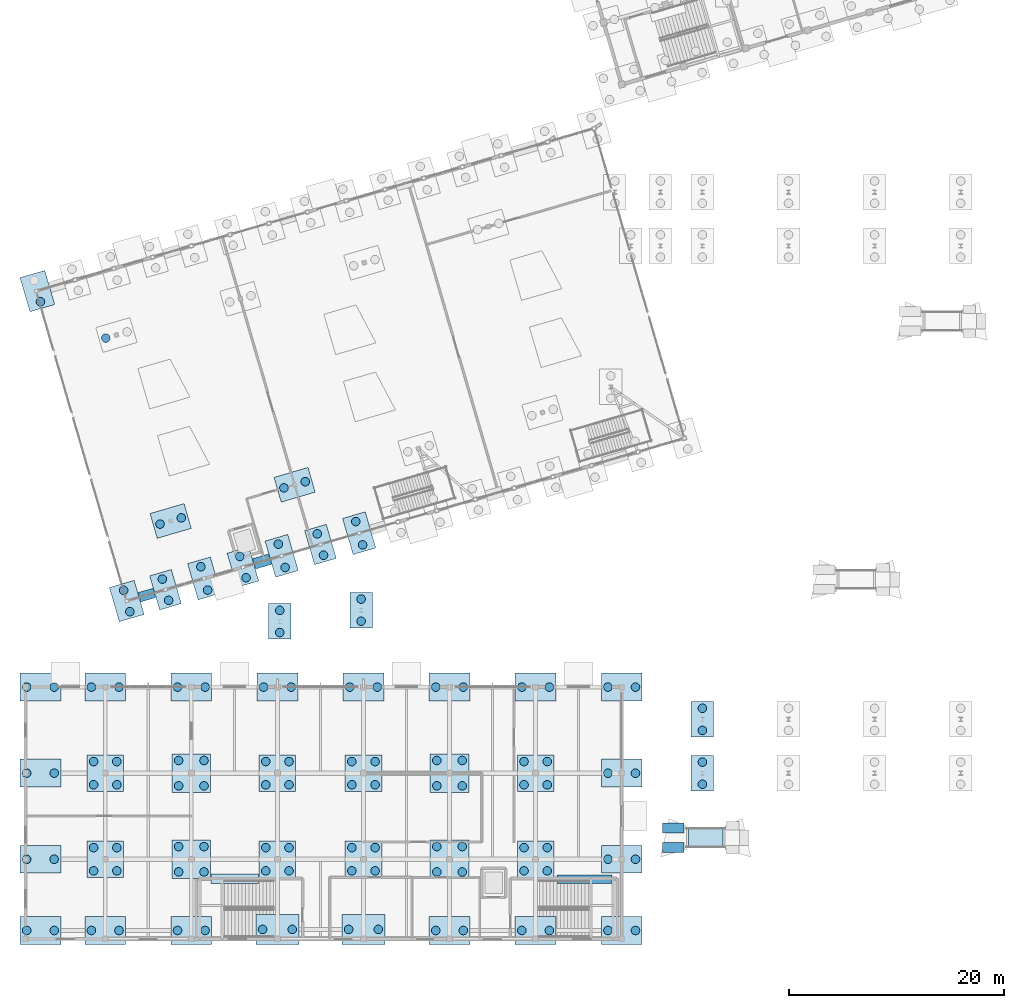
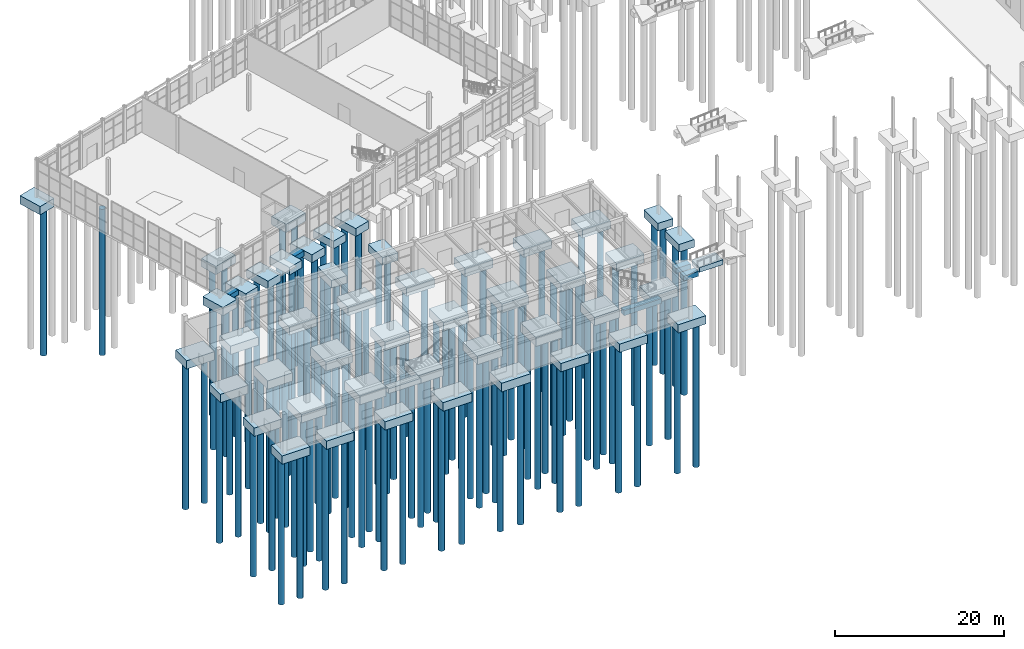
# One storey, part 1 of 90: 116 piles, 53 footings.
"""IFC4 building model written with IfcOpenShell, lengths in metres."""

from ifc_helpers import new_model, si_unit, direction, frame, origin, origin_2d, place, context, subcontext, project, spatial, rectangle, circle, extrude, material, material_profile, profile_set, type_object, element, save


model = new_model("IFC4")

# Units and contexts
model_context = context("Model", 3, precision=1e-05, world=origin(), true_north=direction((0.0, 1.0)))
body_context = subcontext(model_context, "Body", "Model", "MODEL_VIEW")
ifc_project = project(units=[si_unit("LENGTHUNIT", "METRE"), si_unit("AREAUNIT", "SQUARE_METRE"), si_unit("VOLUMEUNIT", "CUBIC_METRE"), si_unit("PLANEANGLEUNIT", "RADIAN"), si_unit("MASSUNIT", "GRAM", prefix="KILO")], contexts=[model_context])

# Site, building, storey
site_placement = place(None, origin())
site = spatial("IfcSite", under=ifc_project, at=site_placement, CompositionType="ELEMENT")
building_placement = place(site_placement, origin())
building = spatial("IfcBuilding", under=site, at=building_placement, Name="Canggui Botanical Conservatory", CompositionType="ELEMENT")
storey_placement = place(building_placement, origin())
storey = spatial("IfcBuildingStorey", under=building, at=storey_placement, Name="L01", CompositionType="ELEMENT", Elevation=0.0)

# Footings
ifc_material = material(Name="Concrete C35", Category="concrete")
footing_type_1 = type_object("IfcFootingType", Name="CAP-CT01", PredefinedType="PILE_CAP", material=ifc_material)
for number, where, z_axis, x_axis, name in (
    (1, (26.0, 18.0, -1.580078125), (0.0, 0.0, 1.0), (1.0, 0.0, 0.0), "Multi-Pile Cap CT-010"),
    (2, (26.0, 26.0, -1.580078125), (0.0, 0.0, 1.0), (1.0, 0.0, 0.0), "Multi-Pile Cap CT-011"),
    (3, (50.0, 18.0, -1.580078125), (0.0, 0.0, 1.0), (1.0, 0.0, 0.0), "Multi-Pile Cap CT-022"),
    (4, (50.0, 26.0, -1.580078125), (0.0, 0.0, 1.0), (1.0, 0.0, 0.0), "Multi-Pile Cap CT-023"),
):
    element("IfcFooting", number, at=place(storey_placement, frame(where, z_axis=z_axis, x_axis=x_axis)), inside=storey, type_object=footing_type_1, Name=name, PredefinedType="PILE_CAP", context=body_context, shape_type="SweptSolid", body=[
        extrude(rectangle(XDim=3.60009765625, YDim=3.60009765625, at=origin_2d()), origin(), (0.0, 0.0, 1.0), 1.300048828125),
    ])
footing_type_2 = type_object("IfcFootingType", Name="CAP-CT02", PredefinedType="PILE_CAP", material=ifc_material)
for number, where, z_axis, x_axis, name in (
    (5, (18.0, 18.0, -1.47998046875), (0.0, 0.0, 1.0), (1.0, 0.0, 0.0), "Multi-Pile Cap CT-006"),
    (6, (18.0, 26.0, -1.47998046875), (0.0, 0.0, 1.0), (1.0, 0.0, 0.0), "Multi-Pile Cap CT-007"),
    (7, (34.0, 18.0, -1.47998046875), (0.0, 0.0, 1.0), (1.0, 0.0, 0.0), "Multi-Pile Cap CT-014"),
    (8, (34.0, 26.0, -1.47998046875), (0.0, 0.0, 1.0), (1.0, 0.0, 0.0), "Multi-Pile Cap CT-015"),
    (9, (42.0, 18.0, -1.47998046875), (0.0, 0.0, 1.0), (1.0, 0.0, 0.0), "Multi-Pile Cap CT-018"),
    (10, (42.0, 26.0, -1.47998046875), (0.0, 0.0, 1.0), (1.0, 0.0, 0.0), "Multi-Pile Cap CT-019"),
    (11, (58.0, 18.0, -1.47998046875), (0.0, 0.0, 1.0), (1.0, 0.0, 0.0), "Multi-Pile Cap CT-026"),
    (12, (58.0, 26.0, -1.47998046875), (0.0, 0.0, 1.0), (1.0, 0.0, 0.0), "Multi-Pile Cap CT-027"),
):
    element("IfcFooting", number, at=place(storey_placement, frame(where, z_axis=z_axis, x_axis=x_axis)), inside=storey, type_object=footing_type_2, Name=name, PredefinedType="PILE_CAP", context=body_context, shape_type="SweptSolid", body=[
        extrude(rectangle(XDim=3.39990234375, YDim=3.39990234375, at=origin_2d()), origin(), (0.0, 0.0, 1.0), 1.199951171875),
    ])
footing_type_3 = type_object("IfcFootingType", Name="CAP-CT03", PredefinedType="PILE_CAP", material=ifc_material)
for number, where, z_axis, x_axis, name in (
    (13, (20.0, 42.0, -1.5), (0.0, 0.0, 1.0), (-0.279999921111, 0.960000023009, 0.0), "Multi-Pile Cap CT-033"),
    (14, (11.694091796875, 70.800048828125, -1.5), (0.0, 0.0, 1.0), (-0.279999921111, 0.960000023009, 0.0), "Multi-Pile Cap CT-048"),
    (15, (24.080078125, 49.43994140625, -1.5), (0.0, 0.0, 1.0), (0.960000000041, 0.279999999861, 0.0), "Multi-Pile Cap CT-063"),
    (16, (35.60009765625, 52.800048828125, -1.5), (0.0, 0.0, 1.0), (0.960000000041, 0.279999999861, 0.0), "Multi-Pile Cap CT-065"),
):
    element("IfcFooting", number, at=place(storey_placement, frame(where, z_axis=z_axis, x_axis=x_axis)), inside=storey, type_object=footing_type_3, Name=name, PredefinedType="PILE_CAP", context=body_context, shape_type="SweptSolid", body=[
        extrude(rectangle(XDim=3.300048828125, YDim=2.39990234375, at=origin_2d()), origin(), (0.0, 0.0, 1.0), 1.199951171875),
    ])
footing_type_4 = type_object("IfcFootingType", Name="CAP-CT04", PredefinedType="PILE_CAP", material=ifc_material)
for number, where, z_axis, x_axis, name in (
    (17, (11.97998046875, 11.3798828125, -1.47998046875), (0.0, 0.0, 1.0), (1.0, 0.0, 0.0), "Multi-Pile Cap CT-001"),
    (18, (11.97998046875, 18.0, -1.47998046875), (0.0, 0.0, 1.0), (1.0, 0.0, 0.0), "Multi-Pile Cap CT-002"),
    (19, (11.97998046875, 26.0, -1.47998046875), (0.0, 0.0, 1.0), (1.0, 0.0, 0.0), "Multi-Pile Cap CT-003"),
    (20, (11.97998046875, 34.0, -1.47998046875), (0.0, 0.0, 1.0), (1.0, 0.0, 0.0), "Multi-Pile Cap CT-004"),
    (21, (18.0, 11.3798828125, -1.47998046875), (0.0, 0.0, 1.0), (1.0, 0.0, 0.0), "Multi-Pile Cap CT-005"),
    (22, (18.0, 34.0, -1.47998046875), (0.0, 0.0, 1.0), (1.0, 0.0, 0.0), "Multi-Pile Cap CT-008"),
    (23, (26.0, 11.3798828125, -1.47998046875), (0.0, 0.0, 1.0), (1.0, 0.0, 0.0), "Multi-Pile Cap CT-009"),
    (24, (26.0, 34.0, -1.47998046875), (0.0, 0.0, 1.0), (1.0, 0.0, 0.0), "Multi-Pile Cap CT-012"),
    (25, (34.0, 34.0, -1.47998046875), (0.0, 0.0, 1.0), (1.0, 0.0, 0.0), "Multi-Pile Cap CT-016"),
    (26, (42.0, 34.0, -1.47998046875), (0.0, 0.0, 1.0), (1.0, 0.0, 0.0), "Multi-Pile Cap CT-020"),
    (27, (50.0, 11.3798828125, -1.47998046875), (0.0, 0.0, 1.0), (1.0, 0.0, 0.0), "Multi-Pile Cap CT-021"),
    (28, (50.0, 34.0, -1.47998046875), (0.0, 0.0, 1.0), (1.0, 0.0, 0.0), "Multi-Pile Cap CT-024"),
    (29, (58.0, 11.3798828125, -1.47998046875), (0.0, 0.0, 1.0), (1.0, 0.0, 0.0), "Multi-Pile Cap CT-025"),
    (30, (58.0, 34.0, -1.47998046875), (0.0, 0.0, 1.0), (1.0, 0.0, 0.0), "Multi-Pile Cap CT-028"),
    (31, (66.0, 11.3798828125, -1.47998046875), (0.0, 0.0, 1.0), (1.0, 0.0, 0.0), "Multi-Pile Cap CT-029"),
    (32, (66.0, 18.0, -1.47998046875), (0.0, 0.0, 1.0), (1.0, 0.0, 0.0), "Multi-Pile Cap CT-030"),
    (33, (66.0, 26.0, -1.47998046875), (0.0, 0.0, 1.0), (1.0, 0.0, 0.0), "Multi-Pile Cap CT-031"),
    (34, (66.0, 34.0, -1.47998046875), (0.0, 0.0, 1.0), (1.0, 0.0, 0.0), "Multi-Pile Cap CT-032"),
):
    element("IfcFooting", number, at=place(storey_placement, frame(where, z_axis=z_axis, x_axis=x_axis)), inside=storey, type_object=footing_type_4, Name=name, PredefinedType="PILE_CAP", context=body_context, shape_type="SweptSolid", body=[
        extrude(rectangle(XDim=3.800048828125, YDim=2.60009765625, at=origin_2d()), origin(), (0.0, 0.0, 1.0), 1.199951171875),
    ])
footing_type_5 = type_object("IfcFootingType", Name="CAP-CT05", PredefinedType="PILE_CAP", material=ifc_material)
for number, where, z_axis, x_axis, name in (
    (35, (27.199951171875, 44.10009765625, -1.449951171875), (0.0, 0.0, 1.0), (-0.279999921111, 0.960000023009, 0.0), "Multi-Pile Cap CT-035"),
    (36, (34.39990234375, 46.199951171875, -1.449951171875), (0.0, 0.0, 1.0), (-0.279999921111, 0.960000023009, 0.0), "Multi-Pile Cap CT-037"),
    (37, (41.60009765625, 48.300048828125, -1.449951171875), (0.0, 0.0, 1.0), (-0.279999921111, 0.960000023009, 0.0), "Multi-Pile Cap CT-039"),
):
    element("IfcFooting", number, at=place(storey_placement, frame(where, z_axis=z_axis, x_axis=x_axis)), inside=storey, type_object=footing_type_5, Name=name, PredefinedType="PILE_CAP", context=body_context, shape_type="SweptSolid", body=[
        extrude(rectangle(XDim=3.5, YDim=2.199951171875, at=origin_2d()), origin(), (0.0, 0.0, 1.0), 1.14990234375),
    ])
footing_type_6 = type_object("IfcFootingType", Name="CAP-CT06", PredefinedType="PILE_CAP", material=ifc_material)
for number, where, z_axis, x_axis, name in (
    (38, (23.60009765625, 43.050048828125, -1.400146484375), (0.0, 0.0, 1.0), (-0.279999921111, 0.960000023009, 0.0), "Multi-Pile Cap CT-034"),
    (39, (30.800048828125, 45.14990234375, -1.400146484375), (0.0, 0.0, 1.0), (-0.279999921111, 0.960000023009, 0.0), "Multi-Pile Cap CT-036"),
    (40, (38.0, 47.25, -1.400146484375), (0.0, 0.0, 1.0), (-0.279999921111, 0.960000023009, 0.0), "Multi-Pile Cap CT-038"),
    (41, (73.5, 26.0, -1.380126953125), (0.0, 0.0, 1.0), (0.0, 1.0, 0.0), "Multi-Pile Cap CT-107"),
    (42, (73.5, 31.0, -1.380126953125), (0.0, 0.0, 1.0), (0.0, 1.0, 0.0), "Multi-Pile Cap CT-108"),
    (43, (34.219970703125, 40.10009765625, -1.380126953125), (0.0, 0.0, 1.0), (0.0, 1.0, 0.0), "Multi-Pile Cap CT-139"),
    (44, (41.780029296875, 41.14990234375, -1.380126953125), (0.0, 0.0, 1.0), (0.0, 1.0, 0.0), "Multi-Pile Cap CT-140"),
):
    element("IfcFooting", number, at=place(storey_placement, frame(where, z_axis=z_axis, x_axis=x_axis)), inside=storey, type_object=footing_type_6, Name=name, PredefinedType="PILE_CAP", context=body_context, shape_type="SweptSolid", body=[
        extrude(rectangle(XDim=3.300048828125, YDim=2.10009765625, at=origin_2d()), origin(), (0.0, 0.0, 1.0), 1.10009765625),
    ])
footing_type_7 = type_object("IfcFootingType", Name="CAP-CT07", PredefinedType="PILE_CAP", material=ifc_material)
for number, where, z_axis, x_axis, name in (
    (45, (34.0, 11.47998046875, -1.530029296875), (0.0, 0.0, 1.0), (1.0, 0.0, 0.0), "Multi-Pile Cap CT-013"),
    (46, (42.0, 11.47998046875, -1.530029296875), (0.0, 0.0, 1.0), (1.0, 0.0, 0.0), "Multi-Pile Cap CT-017"),
):
    element("IfcFooting", number, at=place(storey_placement, frame(where, z_axis=z_axis, x_axis=x_axis)), inside=storey, type_object=footing_type_7, Name=name, PredefinedType="PILE_CAP", context=body_context, shape_type="SweptSolid", body=[
        extrude(rectangle(XDim=4.0, YDim=2.800048828125, at=origin_2d()), origin(), (0.0, 0.0, 1.0), 1.25),
    ])

# Piles
ifc_material_profile = material_profile(ifc_material, circle(Radius=0.39990234375, at=origin_2d()), Name="PILE D800")
ifc_profile_set = profile_set([ifc_material_profile], Name="Concrete C35")
pile_type = type_object("IfcPileType", Name="PILE-ZH2", PredefinedType="BORED", material=ifc_profile_set)
for number, where, z_axis, x_axis, name in (
    (47, (10.699951171875, 11.3798828125, -1.3798828125), (0.0, 0.0, -1.0), (1.0, 0.0, 0.0), "Bored Pile ZH-CAP-119"),
    (48, (13.260009765625, 11.3798828125, -1.3798828125), (0.0, 0.0, -1.0), (1.0, 0.0, 0.0), "Bored Pile ZH-CAP-120"),
    (49, (10.699951171875, 18.0, -1.3798828125), (0.0, 0.0, -1.0), (1.0, 0.0, 0.0), "Bored Pile ZH-CAP-121"),
    (50, (13.260009765625, 18.0, -1.3798828125), (0.0, 0.0, -1.0), (1.0, 0.0, 0.0), "Bored Pile ZH-CAP-122"),
    (51, (10.699951171875, 26.0, -1.3798828125), (0.0, 0.0, -1.0), (1.0, 0.0, 0.0), "Bored Pile ZH-CAP-123"),
    (52, (13.260009765625, 26.0, -1.3798828125), (0.0, 0.0, -1.0), (1.0, 0.0, 0.0), "Bored Pile ZH-CAP-124"),
    (53, (10.699951171875, 34.0, -1.3798828125), (0.0, 0.0, -1.0), (1.0, 0.0, 0.0), "Bored Pile ZH-CAP-125"),
    (54, (13.260009765625, 34.0, -1.3798828125), (0.0, 0.0, -1.0), (1.0, 0.0, 0.0), "Bored Pile ZH-CAP-126"),
    (55, (16.719970703125, 11.3798828125, -1.3798828125), (0.0, 0.0, -1.0), (1.0, 0.0, 0.0), "Bored Pile ZH-CAP-127"),
    (56, (19.280029296875, 11.3798828125, -1.3798828125), (0.0, 0.0, -1.0), (1.0, 0.0, 0.0), "Bored Pile ZH-CAP-128"),
    (57, (16.919921875, 16.919921875, -1.3798828125), (0.0, 0.0, -1.0), (1.0, 0.0, 0.0), "Bored Pile ZH-CAP-129"),
    (58, (19.080078125, 16.919921875, -1.3798828125), (0.0, 0.0, -1.0), (1.0, 0.0, 0.0), "Bored Pile ZH-CAP-130"),
    (59, (16.919921875, 19.080078125, -1.3798828125), (0.0, 0.0, -1.0), (1.0, 0.0, 0.0), "Bored Pile ZH-CAP-131"),
    (60, (19.080078125, 19.080078125, -1.3798828125), (0.0, 0.0, -1.0), (1.0, 0.0, 0.0), "Bored Pile ZH-CAP-132"),
    (61, (16.919921875, 24.919921875, -1.3798828125), (0.0, 0.0, -1.0), (1.0, 0.0, 0.0), "Bored Pile ZH-CAP-133"),
    (62, (19.080078125, 24.919921875, -1.3798828125), (0.0, 0.0, -1.0), (1.0, 0.0, 0.0), "Bored Pile ZH-CAP-134"),
    (63, (16.919921875, 27.080078125, -1.3798828125), (0.0, 0.0, -1.0), (1.0, 0.0, 0.0), "Bored Pile ZH-CAP-135"),
    (64, (19.080078125, 27.080078125, -1.3798828125), (0.0, 0.0, -1.0), (1.0, 0.0, 0.0), "Bored Pile ZH-CAP-136"),
    (65, (16.719970703125, 34.0, -1.3798828125), (0.0, 0.0, -1.0), (1.0, 0.0, 0.0), "Bored Pile ZH-CAP-137"),
    (66, (19.280029296875, 34.0, -1.3798828125), (0.0, 0.0, -1.0), (1.0, 0.0, 0.0), "Bored Pile ZH-CAP-138"),
    (67, (24.719970703125, 11.3798828125, -1.3798828125), (0.0, 0.0, -1.0), (1.0, 0.0, 0.0), "Bored Pile ZH-CAP-139"),
    (68, (27.280029296875, 11.3798828125, -1.3798828125), (0.0, 0.0, -1.0), (1.0, 0.0, 0.0), "Bored Pile ZH-CAP-140"),
):
    element("IfcPile", number, at=place(storey_placement, frame(where, z_axis=z_axis, x_axis=x_axis)), inside=storey, type_object=pile_type, Name=name, PredefinedType="BORED", context=body_context, shape_type="SweptSolid", body=[
        extrude(circle(Radius=0.39990234375, at=origin_2d()), origin(), (0.0, 0.0, 1.0), 21.1201171875),
    ])
for number, where, z_axis, x_axis, name in (
    (69, (24.820068359375, 16.820068359375, -1.47998046875), (0.0, 0.0, -1.0), (1.0, 0.0, 0.0), "Bored Pile ZH-CAP-141"),
    (70, (27.179931640625, 16.820068359375, -1.47998046875), (0.0, 0.0, -1.0), (1.0, 0.0, 0.0), "Bored Pile ZH-CAP-142"),
    (71, (24.820068359375, 19.179931640625, -1.47998046875), (0.0, 0.0, -1.0), (1.0, 0.0, 0.0), "Bored Pile ZH-CAP-143"),
    (72, (27.179931640625, 19.179931640625, -1.47998046875), (0.0, 0.0, -1.0), (1.0, 0.0, 0.0), "Bored Pile ZH-CAP-144"),
    (73, (24.820068359375, 24.820068359375, -1.47998046875), (0.0, 0.0, -1.0), (1.0, 0.0, 0.0), "Bored Pile ZH-CAP-145"),
    (74, (27.179931640625, 24.820068359375, -1.47998046875), (0.0, 0.0, -1.0), (1.0, 0.0, 0.0), "Bored Pile ZH-CAP-146"),
    (75, (24.820068359375, 27.179931640625, -1.47998046875), (0.0, 0.0, -1.0), (1.0, 0.0, 0.0), "Bored Pile ZH-CAP-147"),
    (76, (27.179931640625, 27.179931640625, -1.47998046875), (0.0, 0.0, -1.0), (1.0, 0.0, 0.0), "Bored Pile ZH-CAP-148"),
):
    element("IfcPile", number, at=place(storey_placement, frame(where, z_axis=z_axis, x_axis=x_axis)), inside=storey, type_object=pile_type, Name=name, PredefinedType="BORED", context=body_context, shape_type="SweptSolid", body=[
        extrude(circle(Radius=0.39990234375, at=origin_2d()), origin(), (0.0, 0.0, 1.0), 21.02001953125),
    ])
for number, where, z_axis, x_axis, name in (
    (77, (24.719970703125, 34.0, -1.3798828125), (0.0, 0.0, -1.0), (1.0, 0.0, 0.0), "Bored Pile ZH-CAP-149"),
    (78, (27.280029296875, 34.0, -1.3798828125), (0.0, 0.0, -1.0), (1.0, 0.0, 0.0), "Bored Pile ZH-CAP-150"),
):
    element("IfcPile", number, at=place(storey_placement, frame(where, z_axis=z_axis, x_axis=x_axis)), inside=storey, type_object=pile_type, Name=name, PredefinedType="BORED", context=body_context, shape_type="SweptSolid", body=[
        extrude(circle(Radius=0.39990234375, at=origin_2d()), origin(), (0.0, 0.0, 1.0), 21.1201171875),
    ])
for number, where, z_axis, x_axis, name in (
    (79, (32.6201171875, 11.47998046875, -1.429931640625), (0.0, 0.0, -1.0), (1.0, 0.0, 0.0), "Bored Pile ZH-CAP-151"),
    (80, (35.3798828125, 11.47998046875, -1.429931640625), (0.0, 0.0, -1.0), (1.0, 0.0, 0.0), "Bored Pile ZH-CAP-152"),
):
    element("IfcPile", number, at=place(storey_placement, frame(where, z_axis=z_axis, x_axis=x_axis)), inside=storey, type_object=pile_type, Name=name, PredefinedType="BORED", context=body_context, shape_type="SweptSolid", body=[
        extrude(circle(Radius=0.39990234375, at=origin_2d()), origin(), (0.0, 0.0, 1.0), 21.070068359375),
    ])
for number, where, z_axis, x_axis, name in (
    (81, (32.919921875, 16.919921875, -1.3798828125), (0.0, 0.0, -1.0), (1.0, 0.0, 0.0), "Bored Pile ZH-CAP-153"),
    (82, (35.080078125, 16.919921875, -1.3798828125), (0.0, 0.0, -1.0), (1.0, 0.0, 0.0), "Bored Pile ZH-CAP-154"),
    (83, (32.919921875, 19.080078125, -1.3798828125), (0.0, 0.0, -1.0), (1.0, 0.0, 0.0), "Bored Pile ZH-CAP-155"),
    (84, (35.080078125, 19.080078125, -1.3798828125), (0.0, 0.0, -1.0), (1.0, 0.0, 0.0), "Bored Pile ZH-CAP-156"),
    (85, (32.919921875, 24.919921875, -1.3798828125), (0.0, 0.0, -1.0), (1.0, 0.0, 0.0), "Bored Pile ZH-CAP-157"),
    (86, (35.080078125, 24.919921875, -1.3798828125), (0.0, 0.0, -1.0), (1.0, 0.0, 0.0), "Bored Pile ZH-CAP-158"),
    (87, (32.919921875, 27.080078125, -1.3798828125), (0.0, 0.0, -1.0), (1.0, 0.0, 0.0), "Bored Pile ZH-CAP-159"),
    (88, (35.080078125, 27.080078125, -1.3798828125), (0.0, 0.0, -1.0), (1.0, 0.0, 0.0), "Bored Pile ZH-CAP-160"),
    (89, (32.719970703125, 34.0, -1.3798828125), (0.0, 0.0, -1.0), (1.0, 0.0, 0.0), "Bored Pile ZH-CAP-161"),
    (90, (35.280029296875, 34.0, -1.3798828125), (0.0, 0.0, -1.0), (1.0, 0.0, 0.0), "Bored Pile ZH-CAP-162"),
):
    element("IfcPile", number, at=place(storey_placement, frame(where, z_axis=z_axis, x_axis=x_axis)), inside=storey, type_object=pile_type, Name=name, PredefinedType="BORED", context=body_context, shape_type="SweptSolid", body=[
        extrude(circle(Radius=0.39990234375, at=origin_2d()), origin(), (0.0, 0.0, 1.0), 21.1201171875),
    ])
for number, where, z_axis, x_axis, name in (
    (91, (40.6201171875, 11.47998046875, -1.429931640625), (0.0, 0.0, -1.0), (1.0, 0.0, 0.0), "Bored Pile ZH-CAP-163"),
    (92, (43.3798828125, 11.47998046875, -1.429931640625), (0.0, 0.0, -1.0), (1.0, 0.0, 0.0), "Bored Pile ZH-CAP-164"),
):
    element("IfcPile", number, at=place(storey_placement, frame(where, z_axis=z_axis, x_axis=x_axis)), inside=storey, type_object=pile_type, Name=name, PredefinedType="BORED", context=body_context, shape_type="SweptSolid", body=[
        extrude(circle(Radius=0.39990234375, at=origin_2d()), origin(), (0.0, 0.0, 1.0), 21.070068359375),
    ])
for number, where, z_axis, x_axis, name in (
    (93, (40.919921875, 16.919921875, -1.3798828125), (0.0, 0.0, -1.0), (1.0, 0.0, 0.0), "Bored Pile ZH-CAP-165"),
    (94, (43.080078125, 16.919921875, -1.3798828125), (0.0, 0.0, -1.0), (1.0, 0.0, 0.0), "Bored Pile ZH-CAP-166"),
    (95, (40.919921875, 19.080078125, -1.3798828125), (0.0, 0.0, -1.0), (1.0, 0.0, 0.0), "Bored Pile ZH-CAP-167"),
    (96, (43.080078125, 19.080078125, -1.3798828125), (0.0, 0.0, -1.0), (1.0, 0.0, 0.0), "Bored Pile ZH-CAP-168"),
    (97, (40.919921875, 24.919921875, -1.3798828125), (0.0, 0.0, -1.0), (1.0, 0.0, 0.0), "Bored Pile ZH-CAP-169"),
    (98, (43.080078125, 24.919921875, -1.3798828125), (0.0, 0.0, -1.0), (1.0, 0.0, 0.0), "Bored Pile ZH-CAP-170"),
    (99, (40.919921875, 27.080078125, -1.3798828125), (0.0, 0.0, -1.0), (1.0, 0.0, 0.0), "Bored Pile ZH-CAP-171"),
    (100, (43.080078125, 27.080078125, -1.3798828125), (0.0, 0.0, -1.0), (1.0, 0.0, 0.0), "Bored Pile ZH-CAP-172"),
    (101, (40.719970703125, 34.0, -1.3798828125), (0.0, 0.0, -1.0), (1.0, 0.0, 0.0), "Bored Pile ZH-CAP-173"),
    (102, (43.280029296875, 34.0, -1.3798828125), (0.0, 0.0, -1.0), (1.0, 0.0, 0.0), "Bored Pile ZH-CAP-174"),
    (103, (48.719970703125, 11.3798828125, -1.3798828125), (0.0, 0.0, -1.0), (1.0, 0.0, 0.0), "Bored Pile ZH-CAP-175"),
    (104, (51.280029296875, 11.3798828125, -1.3798828125), (0.0, 0.0, -1.0), (1.0, 0.0, 0.0), "Bored Pile ZH-CAP-176"),
):
    element("IfcPile", number, at=place(storey_placement, frame(where, z_axis=z_axis, x_axis=x_axis)), inside=storey, type_object=pile_type, Name=name, PredefinedType="BORED", context=body_context, shape_type="SweptSolid", body=[
        extrude(circle(Radius=0.39990234375, at=origin_2d()), origin(), (0.0, 0.0, 1.0), 21.1201171875),
    ])
for number, where, z_axis, x_axis, name in (
    (105, (48.820068359375, 16.820068359375, -1.47998046875), (0.0, 0.0, -1.0), (1.0, 0.0, 0.0), "Bored Pile ZH-CAP-177"),
    (106, (51.179931640625, 16.820068359375, -1.47998046875), (0.0, 0.0, -1.0), (1.0, 0.0, 0.0), "Bored Pile ZH-CAP-178"),
    (107, (48.820068359375, 19.179931640625, -1.47998046875), (0.0, 0.0, -1.0), (1.0, 0.0, 0.0), "Bored Pile ZH-CAP-179"),
    (108, (51.179931640625, 19.179931640625, -1.47998046875), (0.0, 0.0, -1.0), (1.0, 0.0, 0.0), "Bored Pile ZH-CAP-180"),
    (109, (48.820068359375, 24.820068359375, -1.47998046875), (0.0, 0.0, -1.0), (1.0, 0.0, 0.0), "Bored Pile ZH-CAP-181"),
    (110, (51.179931640625, 24.820068359375, -1.47998046875), (0.0, 0.0, -1.0), (1.0, 0.0, 0.0), "Bored Pile ZH-CAP-182"),
    (111, (48.820068359375, 27.179931640625, -1.47998046875), (0.0, 0.0, -1.0), (1.0, 0.0, 0.0), "Bored Pile ZH-CAP-183"),
    (112, (51.179931640625, 27.179931640625, -1.47998046875), (0.0, 0.0, -1.0), (1.0, 0.0, 0.0), "Bored Pile ZH-CAP-184"),
):
    element("IfcPile", number, at=place(storey_placement, frame(where, z_axis=z_axis, x_axis=x_axis)), inside=storey, type_object=pile_type, Name=name, PredefinedType="BORED", context=body_context, shape_type="SweptSolid", body=[
        extrude(circle(Radius=0.39990234375, at=origin_2d()), origin(), (0.0, 0.0, 1.0), 21.02001953125),
    ])
for number, where, z_axis, x_axis, name in (
    (113, (48.719970703125, 34.0, -1.3798828125), (0.0, 0.0, -1.0), (1.0, 0.0, 0.0), "Bored Pile ZH-CAP-185"),
    (114, (51.280029296875, 34.0, -1.3798828125), (0.0, 0.0, -1.0), (1.0, 0.0, 0.0), "Bored Pile ZH-CAP-186"),
    (115, (56.719970703125, 11.3798828125, -1.3798828125), (0.0, 0.0, -1.0), (1.0, 0.0, 0.0), "Bored Pile ZH-CAP-187"),
    (116, (59.280029296875, 11.3798828125, -1.3798828125), (0.0, 0.0, -1.0), (1.0, 0.0, 0.0), "Bored Pile ZH-CAP-188"),
    (117, (56.919921875, 16.919921875, -1.3798828125), (0.0, 0.0, -1.0), (1.0, 0.0, 0.0), "Bored Pile ZH-CAP-189"),
    (118, (59.080078125, 16.919921875, -1.3798828125), (0.0, 0.0, -1.0), (1.0, 0.0, 0.0), "Bored Pile ZH-CAP-190"),
    (119, (56.919921875, 19.080078125, -1.3798828125), (0.0, 0.0, -1.0), (1.0, 0.0, 0.0), "Bored Pile ZH-CAP-191"),
    (120, (59.080078125, 19.080078125, -1.3798828125), (0.0, 0.0, -1.0), (1.0, 0.0, 0.0), "Bored Pile ZH-CAP-192"),
    (121, (56.919921875, 24.919921875, -1.3798828125), (0.0, 0.0, -1.0), (1.0, 0.0, 0.0), "Bored Pile ZH-CAP-193"),
    (122, (59.080078125, 24.919921875, -1.3798828125), (0.0, 0.0, -1.0), (1.0, 0.0, 0.0), "Bored Pile ZH-CAP-194"),
    (123, (56.919921875, 27.080078125, -1.3798828125), (0.0, 0.0, -1.0), (1.0, 0.0, 0.0), "Bored Pile ZH-CAP-195"),
    (124, (59.080078125, 27.080078125, -1.3798828125), (0.0, 0.0, -1.0), (1.0, 0.0, 0.0), "Bored Pile ZH-CAP-196"),
    (125, (56.719970703125, 34.0, -1.3798828125), (0.0, 0.0, -1.0), (1.0, 0.0, 0.0), "Bored Pile ZH-CAP-197"),
    (126, (59.280029296875, 34.0, -1.3798828125), (0.0, 0.0, -1.0), (1.0, 0.0, 0.0), "Bored Pile ZH-CAP-198"),
    (127, (64.719970703125, 11.3798828125, -1.3798828125), (0.0, 0.0, -1.0), (1.0, 0.0, 0.0), "Bored Pile ZH-CAP-199"),
    (128, (67.280029296875, 11.3798828125, -1.3798828125), (0.0, 0.0, -1.0), (1.0, 0.0, 0.0), "Bored Pile ZH-CAP-200"),
    (129, (64.719970703125, 18.0, -1.3798828125), (0.0, 0.0, -1.0), (1.0, 0.0, 0.0), "Bored Pile ZH-CAP-201"),
    (130, (67.280029296875, 18.0, -1.3798828125), (0.0, 0.0, -1.0), (1.0, 0.0, 0.0), "Bored Pile ZH-CAP-202"),
    (131, (64.719970703125, 26.0, -1.3798828125), (0.0, 0.0, -1.0), (1.0, 0.0, 0.0), "Bored Pile ZH-CAP-203"),
    (132, (67.280029296875, 26.0, -1.3798828125), (0.0, 0.0, -1.0), (1.0, 0.0, 0.0), "Bored Pile ZH-CAP-204"),
    (133, (64.719970703125, 34.0, -1.3798828125), (0.0, 0.0, -1.0), (1.0, 0.0, 0.0), "Bored Pile ZH-CAP-205"),
    (134, (67.280029296875, 34.0, -1.3798828125), (0.0, 0.0, -1.0), (1.0, 0.0, 0.0), "Bored Pile ZH-CAP-206"),
):
    element("IfcPile", number, at=place(storey_placement, frame(where, z_axis=z_axis, x_axis=x_axis)), inside=storey, type_object=pile_type, Name=name, PredefinedType="BORED", context=body_context, shape_type="SweptSolid", body=[
        extrude(circle(Radius=0.39990234375, at=origin_2d()), origin(), (0.0, 0.0, 1.0), 21.1201171875),
    ])
for number, where, z_axis, x_axis, name in (
    (135, (20.288330078125, 41.01123046875, -1.39990234375), (0.0, 0.0, -1.0), (1.0, 0.0, 0.0), "Bored Pile ZH-CAP-207"),
    (136, (19.711669921875, 42.98876953125, -1.39990234375), (0.0, 0.0, -1.0), (1.0, 0.0, 0.0), "Bored Pile ZH-CAP-208"),
):
    element("IfcPile", number, at=place(storey_placement, frame(where, z_axis=z_axis, x_axis=x_axis)), inside=storey, type_object=pile_type, Name=name, PredefinedType="BORED", context=body_context, shape_type="SweptSolid", body=[
        extrude(circle(Radius=0.39990234375, at=origin_2d()), origin(), (0.0, 0.0, 1.0), 21.10009765625),
    ])
for number, where, z_axis, x_axis, name in (
    (137, (23.888427734375, 42.061279296875, -1.300048828125), (0.0, 0.0, -1.0), (1.0, 0.0, 0.0), "Bored Pile ZH-CAP-209"),
    (138, (23.3115234375, 44.038818359375, -1.300048828125), (0.0, 0.0, -1.0), (1.0, 0.0, 0.0), "Bored Pile ZH-CAP-210"),
):
    element("IfcPile", number, at=place(storey_placement, frame(where, z_axis=z_axis, x_axis=x_axis)), inside=storey, type_object=pile_type, Name=name, PredefinedType="BORED", context=body_context, shape_type="SweptSolid", body=[
        extrude(circle(Radius=0.39990234375, at=origin_2d()), origin(), (0.0, 0.0, 1.0), 21.199951171875),
    ])
for number, where, z_axis, x_axis, name in (
    (139, (27.516357421875, 43.01513671875, -1.35009765625), (0.0, 0.0, -1.0), (1.0, 0.0, 0.0), "Bored Pile ZH-CAP-211"),
    (140, (26.883544921875, 45.184814453125, -1.35009765625), (0.0, 0.0, -1.0), (1.0, 0.0, 0.0), "Bored Pile ZH-CAP-212"),
):
    element("IfcPile", number, at=place(storey_placement, frame(where, z_axis=z_axis, x_axis=x_axis)), inside=storey, type_object=pile_type, Name=name, PredefinedType="BORED", context=body_context, shape_type="SweptSolid", body=[
        extrude(circle(Radius=0.39990234375, at=origin_2d()), origin(), (0.0, 0.0, 1.0), 21.14990234375),
    ])
for number, where, z_axis, x_axis, name in (
    (141, (31.08837890625, 44.1611328125, -1.300048828125), (0.0, 0.0, -1.0), (1.0, 0.0, 0.0), "Bored Pile ZH-CAP-213"),
    (142, (30.51171875, 46.138916015625, -1.300048828125), (0.0, 0.0, -1.0), (1.0, 0.0, 0.0), "Bored Pile ZH-CAP-214"),
):
    element("IfcPile", number, at=place(storey_placement, frame(where, z_axis=z_axis, x_axis=x_axis)), inside=storey, type_object=pile_type, Name=name, PredefinedType="BORED", context=body_context, shape_type="SweptSolid", body=[
        extrude(circle(Radius=0.39990234375, at=origin_2d()), origin(), (0.0, 0.0, 1.0), 21.199951171875),
    ])
for number, where, z_axis, x_axis, name in (
    (143, (34.71630859375, 45.115234375, -1.35009765625), (0.0, 0.0, -1.0), (1.0, 0.0, 0.0), "Bored Pile ZH-CAP-215"),
    (144, (34.08349609375, 47.284912109375, -1.35009765625), (0.0, 0.0, -1.0), (1.0, 0.0, 0.0), "Bored Pile ZH-CAP-216"),
):
    element("IfcPile", number, at=place(storey_placement, frame(where, z_axis=z_axis, x_axis=x_axis)), inside=storey, type_object=pile_type, Name=name, PredefinedType="BORED", context=body_context, shape_type="SweptSolid", body=[
        extrude(circle(Radius=0.39990234375, at=origin_2d()), origin(), (0.0, 0.0, 1.0), 21.14990234375),
    ])
for number, where, z_axis, x_axis, name in (
    (145, (38.288330078125, 46.26123046875, -1.300048828125), (0.0, 0.0, -1.0), (1.0, 0.0, 0.0), "Bored Pile ZH-CAP-217"),
    (146, (37.711669921875, 48.23876953125, -1.300048828125), (0.0, 0.0, -1.0), (1.0, 0.0, 0.0), "Bored Pile ZH-CAP-218"),
):
    element("IfcPile", number, at=place(storey_placement, frame(where, z_axis=z_axis, x_axis=x_axis)), inside=storey, type_object=pile_type, Name=name, PredefinedType="BORED", context=body_context, shape_type="SweptSolid", body=[
        extrude(circle(Radius=0.39990234375, at=origin_2d()), origin(), (0.0, 0.0, 1.0), 21.199951171875),
    ])
for number, where, z_axis, x_axis, name in (
    (147, (41.91650390625, 47.215087890625, -1.35009765625), (0.0, 0.0, -1.0), (1.0, 0.0, 0.0), "Bored Pile ZH-CAP-219"),
    (148, (41.28369140625, 49.384765625, -1.35009765625), (0.0, 0.0, -1.0), (1.0, 0.0, 0.0), "Bored Pile ZH-CAP-220"),
):
    element("IfcPile", number, at=place(storey_placement, frame(where, z_axis=z_axis, x_axis=x_axis)), inside=storey, type_object=pile_type, Name=name, PredefinedType="BORED", context=body_context, shape_type="SweptSolid", body=[
        extrude(circle(Radius=0.39990234375, at=origin_2d()), origin(), (0.0, 0.0, 1.0), 21.14990234375),
    ])
for number, where, z_axis, x_axis, name in (
    (149, (11.982421875, 69.811279296875, -1.39990234375), (0.0, 0.0, -1.0), (1.0, 0.0, 0.0), "Bored Pile ZH-CAP-237"),
    (150, (23.09130859375, 49.151611328125, -1.39990234375), (0.0, 0.0, -1.0), (1.0, 0.0, 0.0), "Bored Pile ZH-CAP-267"),
    (151, (25.06884765625, 49.728515625, -1.39990234375), (0.0, 0.0, -1.0), (1.0, 0.0, 0.0), "Bored Pile ZH-CAP-268"),
    (152, (18.05126953125, 66.431640625, -1.39990234375), (0.0, 0.0, -1.0), (1.0, 0.0, 0.0), "Bored Pile ZH-CAP-269"),
    (153, (34.611083984375, 52.51171875, -1.39990234375), (0.0, 0.0, -1.0), (1.0, 0.0, 0.0), "Bored Pile ZH-CAP-271"),
    (154, (36.5888671875, 53.08837890625, -1.39990234375), (0.0, 0.0, -1.0), (1.0, 0.0, 0.0), "Bored Pile ZH-CAP-272"),
):
    element("IfcPile", number, at=place(storey_placement, frame(where, z_axis=z_axis, x_axis=x_axis)), inside=storey, type_object=pile_type, Name=name, PredefinedType="BORED", context=body_context, shape_type="SweptSolid", body=[
        extrude(circle(Radius=0.39990234375, at=origin_2d()), origin(), (0.0, 0.0, 1.0), 21.10009765625),
    ])
for number, where, z_axis, x_axis, name in (
    (155, (73.5, 24.969970703125, -1.280029296875), (0.0, 0.0, -1.0), (1.0, 0.0, 0.0), "Bored Pile ZH-CAP-383"),
    (156, (73.5, 27.030029296875, -1.280029296875), (0.0, 0.0, -1.0), (1.0, 0.0, 0.0), "Bored Pile ZH-CAP-384"),
    (157, (73.5, 29.969970703125, -1.280029296875), (0.0, 0.0, -1.0), (1.0, 0.0, 0.0), "Bored Pile ZH-CAP-385"),
    (158, (73.5, 32.030029296875, -1.280029296875), (0.0, 0.0, -1.0), (1.0, 0.0, 0.0), "Bored Pile ZH-CAP-386"),
    (159, (34.219970703125, 39.070068359375, -1.280029296875), (0.0, 0.0, -1.0), (1.0, 0.0, 0.0), "Bored Pile ZH-CAP-447"),
    (160, (34.219970703125, 41.1298828125, -1.280029296875), (0.0, 0.0, -1.0), (1.0, 0.0, 0.0), "Bored Pile ZH-CAP-448"),
    (161, (41.780029296875, 40.1201171875, -1.280029296875), (0.0, 0.0, -1.0), (1.0, 0.0, 0.0), "Bored Pile ZH-CAP-449"),
    (162, (41.780029296875, 42.179931640625, -1.280029296875), (0.0, 0.0, -1.0), (1.0, 0.0, 0.0), "Bored Pile ZH-CAP-450"),
):
    element("IfcPile", number, at=place(storey_placement, frame(where, z_axis=z_axis, x_axis=x_axis)), inside=storey, type_object=pile_type, Name=name, PredefinedType="BORED", context=body_context, shape_type="SweptSolid", body=[
        extrude(circle(Radius=0.39990234375, at=origin_2d()), origin(), (0.0, 0.0, 1.0), 21.219970703125),
    ])

# Footings
footing_type_8 = type_object("IfcFootingType", Name="SF-01", PredefinedType="STRIP_FOOTING", material=ifc_material)
footing_1_placement = place(storey_placement, frame((21.8720703125, 42.5458984375, -1.0), z_axis=(0.0, 0.0, 1.0), x_axis=(0.960000000041, 0.279999999861, 0.0)))
element("IfcFooting", 163, at=footing_1_placement, inside=storey, type_object=footing_type_8, Name="Perimeter Strip Footing SF-001", PredefinedType="STRIP_FOOTING", context=body_context, shape_type="SweptSolid", body=[
    extrude(rectangle(XDim=1.4599609375, YDim=0.89990234375, at=origin_2d()), origin(), (0.0, 0.0, 1.0), 0.699951171875),
])
footing_2_placement = place(storey_placement, frame((62.550048828125, 16.14990234375, -0.97998046875), z_axis=(0.0, 0.0, 1.0), x_axis=(1.0, 0.0, 0.0)))
element("IfcFooting", 164, at=footing_2_placement, inside=storey, type_object=footing_type_8, Name="Visitor Stair ST-V1 North Bearing Wall Strip Footing", PredefinedType="STRIP_FOOTING", context=body_context, shape_type="SweptSolid", body=[
    extrude(rectangle(XDim=5.10009765625, YDim=0.800048828125, at=origin_2d()), origin(), (0.0, 0.0, 1.0), 0.699951171875),
])
footing_3_placement = place(storey_placement, frame((30.050048828125, 16.199951171875, -0.97998046875), z_axis=(0.0, 0.0, 1.0), x_axis=(1.0, 0.0, 0.0)))
element("IfcFooting", 165, at=footing_3_placement, inside=storey, type_object=footing_type_8, Name="Visitor Stair ST-V2 North Bearing Wall Strip Footing", PredefinedType="STRIP_FOOTING", context=body_context, shape_type="SweptSolid", body=[
    extrude(rectangle(XDim=4.39990234375, YDim=0.89990234375, at=origin_2d()), origin(), (0.0, 0.0, 1.0), 0.699951171875),
])
for number, where, z_axis, x_axis, name in (
    (166, (70.800048828125, 19.10009765625, -1.18017578125), (0.0, 0.0, 1.0), (1.0, 0.0, 0.0), "PR-01 Lower South Strip Footing"),
    (167, (70.800048828125, 20.89990234375, -1.18017578125), (0.0, 0.0, 1.0), (1.0, 0.0, 0.0), "PR-01 Lower North Strip Footing"),
):
    element("IfcFooting", number, at=place(storey_placement, frame(where, z_axis=z_axis, x_axis=x_axis)), inside=storey, type_object=footing_type_8, Name=name, PredefinedType="STRIP_FOOTING", context=body_context, shape_type="SweptSolid", body=[
        extrude(rectangle(XDim=2.0, YDim=0.89990234375, at=origin_2d()), origin(), (0.0, 0.0, 1.0), 0.699951171875),
    ])
footing_4_placement = place(storey_placement, frame((73.800048828125, 20.0, -1.02978515625), z_axis=(0.0, 0.0, 1.0), x_axis=(1.0, 0.0, 0.0)))
element("IfcFooting", 168, at=footing_4_placement, inside=storey, type_object=footing_type_8, Name="PR-01 Ramp Flight Strip Footing", PredefinedType="STRIP_FOOTING", context=body_context, shape_type="SweptSolid", body=[
    extrude(rectangle(XDim=3.199951171875, YDim=1.800048828125, at=origin_2d()), origin(), (0.0, 0.0, 1.0), 0.699951171875),
])
footing_type_9 = type_object("IfcFootingType", Name="SF-02", PredefinedType="STRIP_FOOTING", material=ifc_material)
footing_5_placement = place(storey_placement, frame((32.575927734375, 45.66796875, -1.050048828125), z_axis=(0.0, 0.0, 1.0), x_axis=(0.960000000041, 0.279999999861, 0.0)))
element("IfcFooting", 169, at=footing_5_placement, inside=storey, type_object=footing_type_9, Name="Perimeter Strip Footing SF-002", PredefinedType="STRIP_FOOTING", context=body_context, shape_type="SweptSolid", body=[
    extrude(rectangle(XDim=1.56005859375, YDim=1.0, at=origin_2d()), origin(), (0.0, 0.0, 1.0), 0.75),
])

save(model, "model.ifc")
